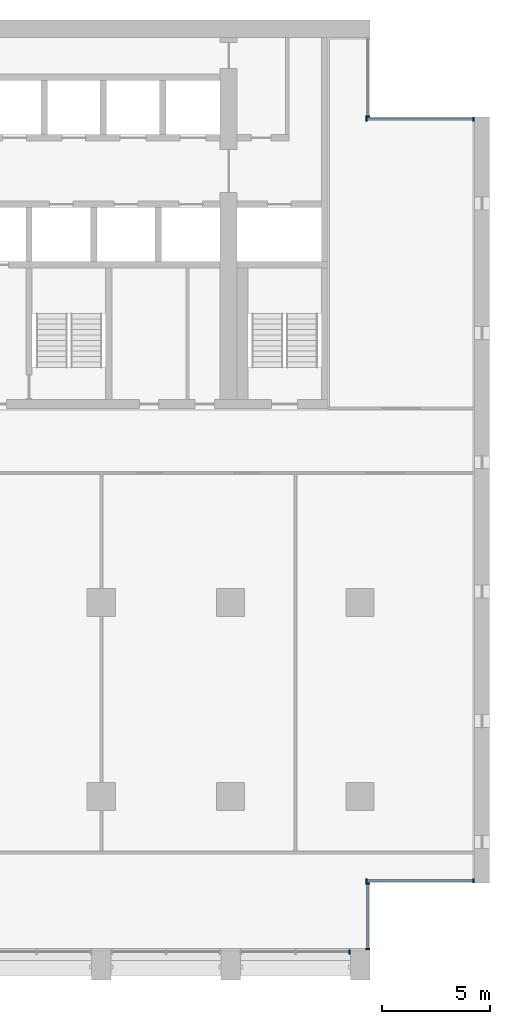
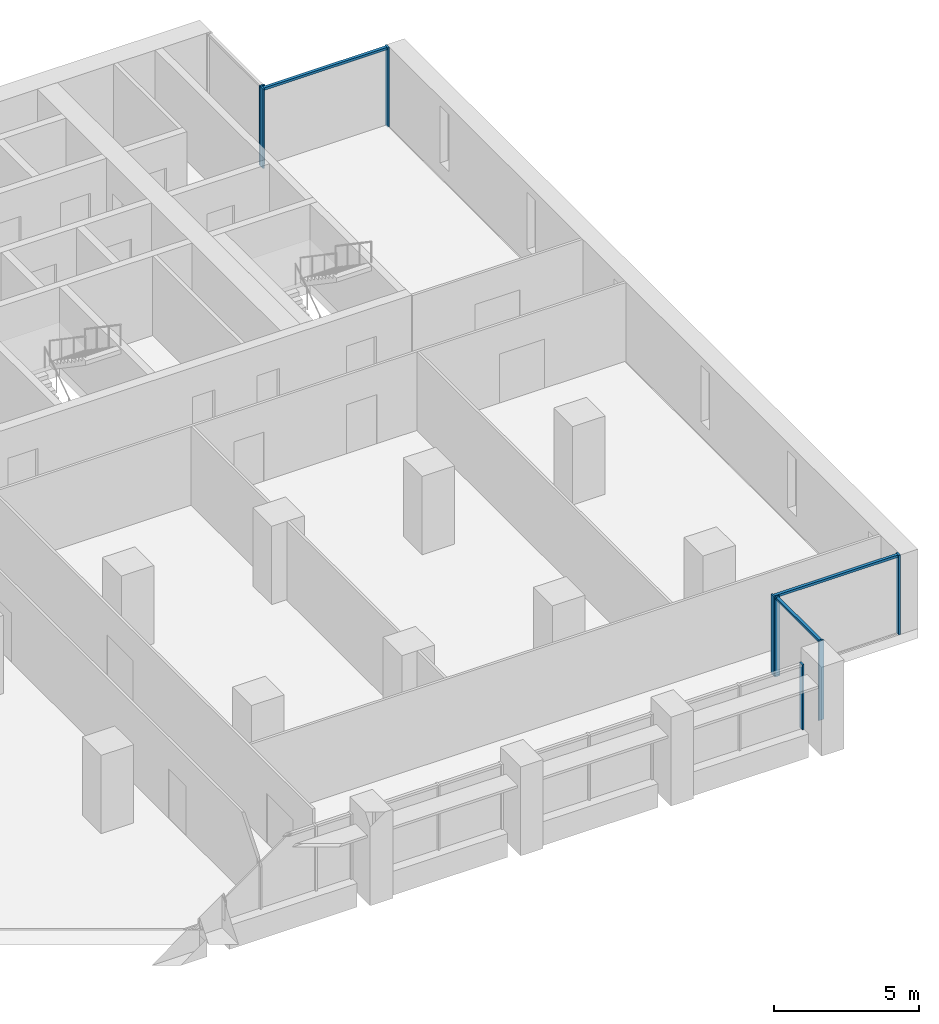
# One storey, part 5 of 15: 11 members, 5 elements without a shape of their own.
"""IFC4 building model written with IfcOpenShell, lengths in metres."""

from ifc_helpers import new_model, si_unit, direction, frame, origin, origin_2d, place, context, subcontext, project, spatial, rectangle, extrude, material, material_profile, profile_set, type_object, element, aggregate, save


model = new_model("IFC4")

# Units and contexts
model_context = context("Model", 3, precision=1e-05, world=origin(), true_north=direction((0.0, 1.0)))
body_context = subcontext(model_context, "Body", "Model", "MODEL_VIEW")
ifc_project = project(units=[si_unit("LENGTHUNIT", "METRE"), si_unit("AREAUNIT", "SQUARE_METRE"), si_unit("VOLUMEUNIT", "CUBIC_METRE"), si_unit("PLANEANGLEUNIT", "RADIAN"), si_unit("MASSUNIT", "GRAM", prefix="KILO")], contexts=[model_context])

# Site, building, storey
site_placement = place(None, origin())
site = spatial("IfcSite", under=ifc_project, at=site_placement, CompositionType="ELEMENT")
building_placement = place(site_placement, origin())
building = spatial("IfcBuilding", under=site, at=building_placement, Name="Calvaro Tower", CompositionType="ELEMENT")
storey_placement = place(building_placement, frame((0.0, 0.0, 128.75)))
storey = spatial("IfcBuildingStorey", under=building, at=storey_placement, Name="L32", CompositionType="ELEMENT", Elevation=128.75)

# Curtain wall, member
ifc_material_1 = material(Name="Anodised aluminium", Category="aluminium")
curtain_wall_type = type_object("IfcCurtainWallType", Name="Office curtain wall, middle zone", PredefinedType="NOTDEFINED", material=ifc_material_1)
curtain_wall_1_placement = place(storey_placement, origin())
curtain_wall_1 = element("IfcCurtainWall", 1, at=curtain_wall_1_placement, inside=storey, type_object=curtain_wall_type, Name="CW2 south curtain wall", PredefinedType="NOTDEFINED")
ifc_material_2 = material(Name="Anodised aluminium", Category="aluminium")
ifc_material_profile_1 = material_profile(ifc_material_2, rectangle(XDim=0.199951171875, YDim=0.070068359375, at=origin_2d()), Name="Mullion S2 70 x 200")
ifc_profile_set_1 = profile_set([ifc_material_profile_1], Name="Anodised aluminium")
member_type_1 = type_object("IfcMemberType", Name="Mullion S2 70 x 200", PredefinedType="MULLION", material=ifc_profile_set_1)
member_1_placement = place(storey_placement, frame((65.514892578125, 2.800048828125, 0.0), z_axis=(0.0, 0.0, 1.0), x_axis=(0.0, 1.0, 0.0)))
member_1 = element("IfcMember", 2, at=member_1_placement, type_object=member_type_1, Name="CW2 mullion 3", PredefinedType="MULLION", context=body_context, shape_type="SweptSolid", body=[
    extrude(rectangle(XDim=0.199951171875, YDim=0.070068359375, at=origin_2d()), origin(), (0.0, 0.0, 1.0), 2.75),
])
aggregate(curtain_wall_1, [member_1])

# Curtain wall, members
curtain_wall_2_placement = place(storey_placement, origin())
curtain_wall_2 = element("IfcCurtainWall", 3, at=curtain_wall_2_placement, inside=storey, type_object=curtain_wall_type, Name="CW2 corner curtain wall", PredefinedType="NOTDEFINED")
member_2_placement = place(storey_placement, frame((66.35009765625, 2.93505859375, 0.0), z_axis=(0.0, 0.0, 1.0), x_axis=(-1.0, 0.0, 0.0)))
member_2 = element("IfcMember", 4, at=member_2_placement, type_object=member_type_1, Name="CW2 mullion 1", PredefinedType="MULLION", context=body_context, shape_type="SweptSolid", body=[
    extrude(rectangle(XDim=0.199951171875, YDim=0.070068359375, at=origin_2d()), origin(), (0.0, 0.0, 1.0), 3.35009765625),
])
member_3_placement = place(storey_placement, frame((66.35009765625, 5.965087890625, 0.0), z_axis=(0.0, 0.0, 1.0), x_axis=(-1.0, 0.0, 0.0)))
member_3 = element("IfcMember", 5, at=member_3_placement, type_object=member_type_1, Name="CW2 mullion 2", PredefinedType="MULLION", context=body_context, shape_type="SweptSolid", body=[
    extrude(rectangle(XDim=0.199951171875, YDim=0.070068359375, at=origin_2d()), origin(), (0.0, 0.0, 1.0), 3.35009765625),
])

curtain_wall_3_placement = place(storey_placement, origin())
curtain_wall_3 = element("IfcCurtainWall", 6, at=curtain_wall_3_placement, inside=storey, type_object=curtain_wall_type, Name="CW2 corner curtain wall", PredefinedType="NOTDEFINED")
member_4_placement = place(storey_placement, frame((66.284912109375, 6.10009765625, 0.0), z_axis=(0.0, 0.0, 1.0), x_axis=(0.0, 1.0, 0.0)))
member_4 = element("IfcMember", 7, at=member_4_placement, type_object=member_type_1, Name="CW2 mullion 1", PredefinedType="MULLION", context=body_context, shape_type="SweptSolid", body=[
    extrude(rectangle(XDim=0.199951171875, YDim=0.070068359375, at=origin_2d()), origin(), (0.0, 0.0, 1.0), 3.35009765625),
])
member_5_placement = place(storey_placement, frame((71.264892578125, 6.10009765625, 0.0), z_axis=(0.0, 0.0, 1.0), x_axis=(0.0, 1.0, 0.0)))
member_5 = element("IfcMember", 8, at=member_5_placement, type_object=member_type_1, Name="CW2 mullion 2", PredefinedType="MULLION", context=body_context, shape_type="SweptSolid", body=[
    extrude(rectangle(XDim=0.199951171875, YDim=0.070068359375, at=origin_2d()), origin(), (0.0, 0.0, 1.0), 3.35009765625),
])

# Curtain wall, member
curtain_wall_4_placement = place(storey_placement, origin())
curtain_wall_4 = element("IfcCurtainWall", 9, at=curtain_wall_4_placement, inside=storey, type_object=curtain_wall_type, Name="CW2 corner curtain wall", PredefinedType="NOTDEFINED")
member_6_placement = place(storey_placement, frame((66.35009765625, 41.534912109375, 0.0), z_axis=(0.0, 0.0, 1.0), x_axis=(-1.0, 0.0, 0.0)))
member_6 = element("IfcMember", 10, at=member_6_placement, type_object=member_type_1, Name="CW2 mullion 1", PredefinedType="MULLION", context=body_context, shape_type="SweptSolid", body=[
    extrude(rectangle(XDim=0.199951171875, YDim=0.070068359375, at=origin_2d()), origin(), (0.0, 0.0, 1.0), 3.35009765625),
])
aggregate(curtain_wall_4, [member_6])

# Curtain wall, members
curtain_wall_5_placement = place(storey_placement, origin())
curtain_wall_5 = element("IfcCurtainWall", 11, at=curtain_wall_5_placement, inside=storey, type_object=curtain_wall_type, Name="CW2 corner curtain wall", PredefinedType="NOTDEFINED")
member_7_placement = place(storey_placement, frame((66.284912109375, 41.39990234375, 0.0), z_axis=(0.0, 0.0, 1.0), x_axis=(0.0, 1.0, 0.0)))
member_7 = element("IfcMember", 12, at=member_7_placement, type_object=member_type_1, Name="CW2 mullion 1", PredefinedType="MULLION", context=body_context, shape_type="SweptSolid", body=[
    extrude(rectangle(XDim=0.199951171875, YDim=0.070068359375, at=origin_2d()), origin(), (0.0, 0.0, 1.0), 3.35009765625),
])
member_8_placement = place(storey_placement, frame((71.264892578125, 41.39990234375, 0.0), z_axis=(0.0, 0.0, 1.0), x_axis=(0.0, 1.0, 0.0)))
member_8 = element("IfcMember", 13, at=member_8_placement, type_object=member_type_1, Name="CW2 mullion 2", PredefinedType="MULLION", context=body_context, shape_type="SweptSolid", body=[
    extrude(rectangle(XDim=0.199951171875, YDim=0.070068359375, at=origin_2d()), origin(), (0.0, 0.0, 1.0), 3.35009765625),
])

# Member
ifc_material_3 = material(Name="Anodised aluminium", Category="aluminium")
ifc_material_profile_2 = material_profile(ifc_material_3, rectangle(XDim=0.1201171875, YDim=0.10009765625, at=origin_2d()), Name="Transom S2 100 x 120")
ifc_profile_set_2 = profile_set([ifc_material_profile_2], Name="Anodised aluminium")
member_type_2 = type_object("IfcMemberType", Name="Transom S2 100 x 120", PredefinedType="USERDEFINED", material=ifc_profile_set_2)
member_9_placement = place(storey_placement, frame((66.35009765625, 2.969970703125, 3.300048828125), z_axis=(0.0, 1.0, 0.0), x_axis=(-1.0, 0.0, 0.0)))
member_9 = element("IfcMember", 14, at=member_9_placement, type_object=member_type_2, Name="CW2 transom 1.1", ObjectType="TRANSOM", PredefinedType="USERDEFINED", context=body_context, shape_type="SweptSolid", body=[
    extrude(rectangle(XDim=0.1201171875, YDim=0.10009765625, at=origin_2d()), origin(), (0.0, 0.0, 1.0), 2.9599609375),
])

aggregate(curtain_wall_2, [member_2, member_3, member_9])

member_10_placement = place(storey_placement, frame((66.320068359375, 6.10009765625, 3.300048828125), z_axis=(1.0, 0.0, 0.0), x_axis=(0.0, 1.0, 0.0)))
member_10 = element("IfcMember", 15, at=member_10_placement, type_object=member_type_2, Name="CW2 transom 1.1", ObjectType="TRANSOM", PredefinedType="USERDEFINED", context=body_context, shape_type="SweptSolid", body=[
    extrude(rectangle(XDim=0.1201171875, YDim=0.10009765625, at=origin_2d()), origin(), (0.0, 0.0, 1.0), 4.909912109375),
])

aggregate(curtain_wall_3, [member_4, member_5, member_10])

member_11_placement = place(storey_placement, frame((66.320068359375, 41.39990234375, 3.300048828125), z_axis=(1.0, 0.0, 0.0), x_axis=(0.0, 1.0, 0.0)))
member_11 = element("IfcMember", 16, at=member_11_placement, type_object=member_type_2, Name="CW2 transom 1.1", ObjectType="TRANSOM", PredefinedType="USERDEFINED", context=body_context, shape_type="SweptSolid", body=[
    extrude(rectangle(XDim=0.1201171875, YDim=0.10009765625, at=origin_2d()), origin(), (0.0, 0.0, 1.0), 4.909912109375),
])

aggregate(curtain_wall_5, [member_7, member_8, member_11])

save(model, "model.ifc")
